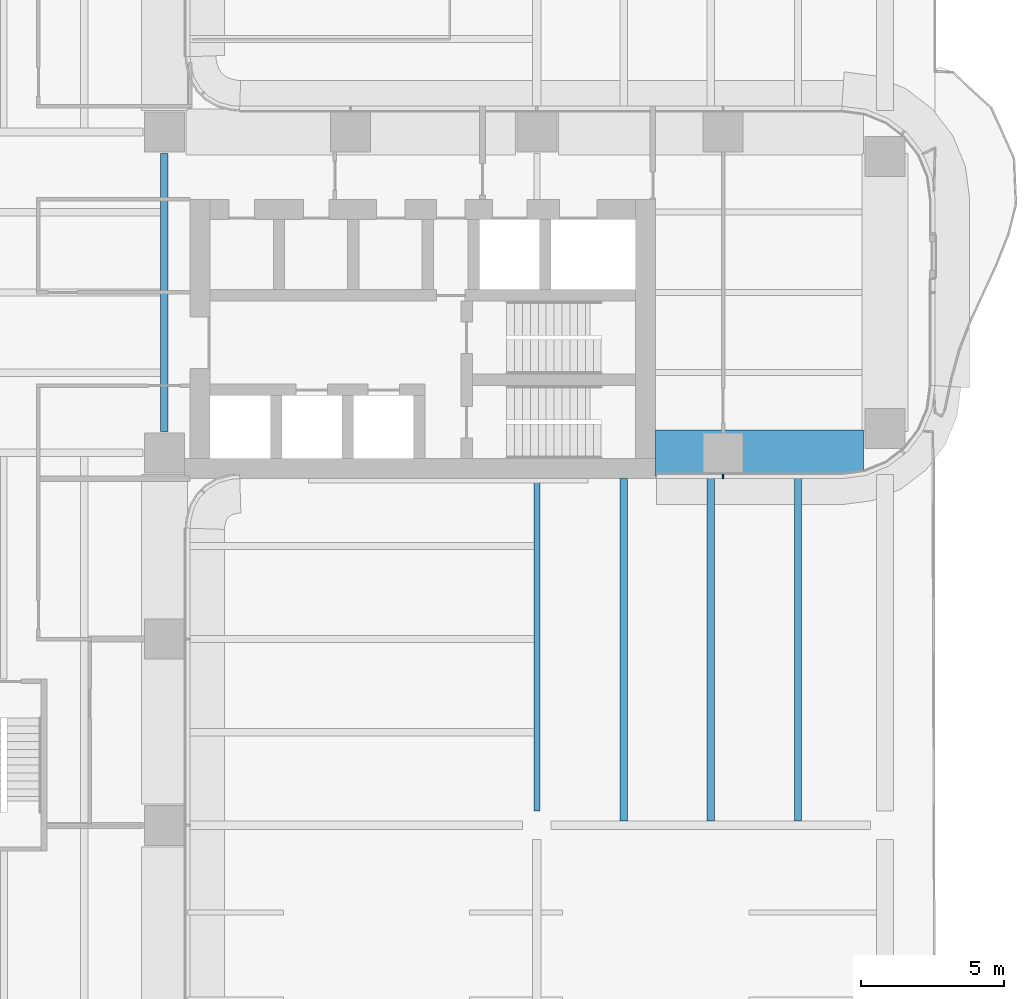
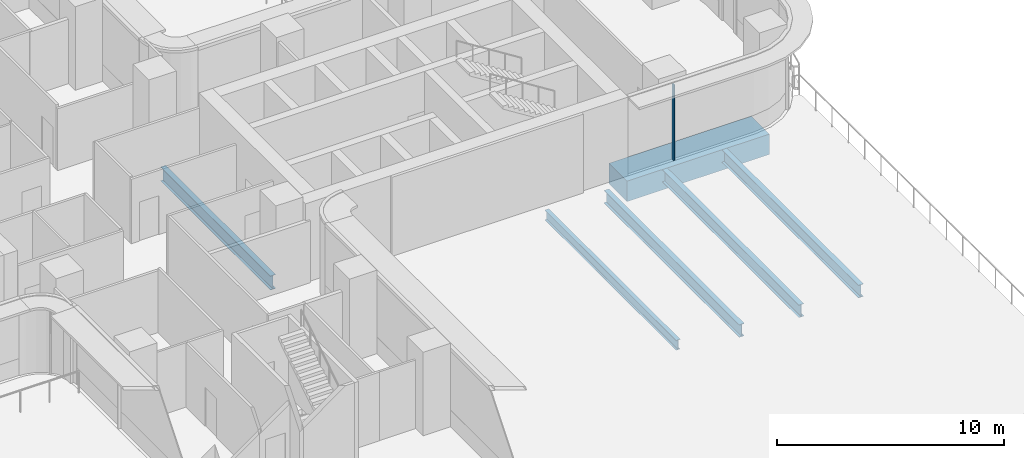
# One storey, part 8 of 29: 6 beams, 1 member, 1 element without a shape of its own.
"""IFC4 building model written with IfcOpenShell, lengths in metres."""

from ifc_helpers import new_model, si_unit, direction, frame, origin, origin_2d, place, context, subcontext, project, spatial, rectangle, i_section, extrude, source, transform, mapped, material, layer, layer_set, material_profile, profile_set, type_object, element, aggregate, save


model = new_model("IFC4")

# Units and contexts
model_context = context("Model", 3, precision=1e-05, world=origin(), true_north=direction((0.0, 1.0)))
body_context = subcontext(model_context, "Body", "Model", "MODEL_VIEW")
ifc_project = project(units=[si_unit("LENGTHUNIT", "METRE"), si_unit("AREAUNIT", "SQUARE_METRE"), si_unit("VOLUMEUNIT", "CUBIC_METRE"), si_unit("PLANEANGLEUNIT", "RADIAN"), si_unit("MASSUNIT", "GRAM", prefix="KILO")], contexts=[model_context])

# Site, building, storey
site_placement = place(None, origin())
site = spatial("IfcSite", under=ifc_project, at=site_placement, CompositionType="ELEMENT")
building_placement = place(site_placement, origin())
building = spatial("IfcBuilding", under=site, at=building_placement, Name="Trellis Farm Tower", CompositionType="ELEMENT")
storey_placement = place(building_placement, frame((0.0, 0.0, 34.0)))
storey = spatial("IfcBuildingStorey", under=building, at=storey_placement, Name="L06", CompositionType="ELEMENT", Elevation=34.0)

# Beams
ifc_material_1 = material(Name="Steel S355", Category="steel")
ifc_material_profile_1 = material_profile(ifc_material_1, i_section(OverallWidth=0.253662109375, OverallDepth=0.68359375, WebThickness=0.012451171875, FlangeThickness=0.021728515625, FilletRadius=0.01513671875, at=origin_2d()), Name="UB 686x254x140")
ifc_profile_set_1 = profile_set([ifc_material_profile_1], Name="Steel S355")
beam_type_1 = type_object("IfcBeamType", Name="UB 686x254x140 joist", PredefinedType="JOIST", material=ifc_profile_set_1)
shared_shape_1 = source(origin(), body_context, "Body", "SweptSolid", [
    extrude(i_section(OverallWidth=0.253662109375, OverallDepth=0.68359375, WebThickness=0.012451171875, FlangeThickness=0.021728515625, FilletRadius=0.01513671875, at=origin_2d()), origin(), (0.0, 0.0, 1.0), 11.947265625),
])
beam_1_placement = place(storey_placement, frame((21.637451171875, -18.447265625, -0.691650390625), z_axis=(0.0, 1.0, 0.0), x_axis=(-1.0, 0.0, 0.0)))
element("IfcBeam", 1, at=beam_1_placement, inside=storey, type_object=beam_type_1, Name="Floor beam", PredefinedType="JOIST", context=body_context, shape_type="MappedRepresentation", body=[
    mapped(shared_shape_1, transform((0.0, 0.0, 0.0))),
])
ifc_material_profile_2 = material_profile(ifc_material_1, i_section(OverallWidth=0.2666015625, OverallDepth=0.76220703125, WebThickness=0.014404296875, FlangeThickness=0.021484375, FilletRadius=0.0166015625, at=origin_2d()), Name="UB 762x267x173")
ifc_profile_set_2 = profile_set([ifc_material_profile_2], Name="Steel S355")
beam_type_2 = type_object("IfcBeamType", Name="UB 762x267x173", PredefinedType="BEAM", material=ifc_profile_set_2)
shared_shape_2 = source(origin(), body_context, "Body", "SweptSolid", [
    extrude(i_section(OverallWidth=0.2666015625, OverallDepth=0.76220703125, WebThickness=0.014404296875, FlangeThickness=0.021484375, FilletRadius=0.0166015625, at=origin_2d()), origin(), (0.0, 0.0, 1.0), 9.7001953125),
])
beam_2_placement = place(storey_placement, frame((5.60009765625, -4.85009765625, -0.731201171875), z_axis=(0.0, 1.0, 0.0), x_axis=(-1.0, 0.0, 0.0)))
element("IfcBeam", 2, at=beam_2_placement, inside=storey, type_object=beam_type_2, Name="Girder", PredefinedType="BEAM", context=body_context, shape_type="MappedRepresentation", body=[
    mapped(shared_shape_2, transform((0.0, 0.0, 0.0))),
])
ifc_material_profile_3 = material_profile(ifc_material_1, i_section(OverallWidth=0.209228515625, OverallDepth=0.533203125, WebThickness=0.010009765625, FlangeThickness=0.015625, FilletRadius=0.0126953125, at=origin_2d()), Name="UB 533x210x92")
ifc_profile_set_3 = profile_set([ifc_material_profile_3], Name="Steel S355")
beam_type_3 = type_object("IfcBeamType", Name="UB 533x210x92", PredefinedType="BEAM", material=ifc_profile_set_3)
shared_shape_3 = source(origin(), body_context, "Body", "SweptSolid", [
    extrude(i_section(OverallWidth=0.209228515625, OverallDepth=0.533203125, WebThickness=0.010009765625, FlangeThickness=0.015625, FilletRadius=0.0126953125, at=origin_2d()), origin(), (0.0, 0.0, 1.0), 11.60009765625),
])
beam_3_placement = place(storey_placement, frame((18.60009765625, -18.10009765625, -0.61669921875), z_axis=(0.0, 1.0, 0.0), x_axis=(-1.0, 0.0, 0.0)))
element("IfcBeam", 3, at=beam_3_placement, inside=storey, type_object=beam_type_3, Name="Girder", PredefinedType="BEAM", context=body_context, shape_type="MappedRepresentation", body=[
    mapped(shared_shape_3, transform((0.0, 0.0, 0.0))),
])
ifc_material_2 = material(Name="Concrete C80/95", Category="concrete")
ifc_material_profile_4 = material_profile(ifc_material_2, rectangle(XDim=1.60009765625, YDim=1.10009765625, at=origin_2d()), Name="RC transfer beam 1600x1100 C80/95")
ifc_profile_set_4 = profile_set([ifc_material_profile_4], Name="Concrete C80/95")
beam_type_4 = type_object("IfcBeamType", Name="RC transfer beam 1600x1100 C80/95", PredefinedType="BEAM", material=ifc_profile_set_4)
shared_shape_4 = source(origin(), body_context, "Body", "SweptSolid", [
    extrude(rectangle(XDim=1.60009765625, YDim=1.10009765625, at=origin_2d()), origin(), (0.0, 0.0, 1.0), 7.25),
])
beam_4_placement = place(storey_placement, frame((22.75, -5.60009765625, -0.89990234375), z_axis=(1.0, 0.0, 0.0), x_axis=(0.0, 1.0, 0.0)))
element("IfcBeam", 4, at=beam_4_placement, inside=storey, type_object=beam_type_4, Name="Transfer girder", PredefinedType="BEAM", context=body_context, shape_type="MappedRepresentation", body=[
    mapped(shared_shape_4, transform((0.0, 0.0, 0.0))),
])
shared_shape_5 = source(origin(), body_context, "Body", "SweptSolid", [
    extrude(i_section(OverallWidth=0.253662109375, OverallDepth=0.68359375, WebThickness=0.012451171875, FlangeThickness=0.021728515625, FilletRadius=0.01513671875, at=origin_2d()), origin(), (0.0, 0.0, 1.0), 12.04736328125),
])
for number, where, z_axis, x_axis, name in (
    (5, (24.675048828125, -18.447265625, -0.691650390625), (0.0, 1.0, 0.0), (-1.0, 0.0, 0.0), "Floor beam"),
    (6, (27.71240234375, -18.447265625, -0.691650390625), (0.0, 1.0, 0.0), (-1.0, 0.0, 0.0), "Floor beam"),
):
    element("IfcBeam", number, at=place(storey_placement, frame(where, z_axis=z_axis, x_axis=x_axis)), inside=storey, type_object=beam_type_1, Name=name, PredefinedType="JOIST", context=body_context, shape_type="MappedRepresentation", body=[
        mapped(shared_shape_5, transform((0.0, 0.0, 0.0))),
    ])

# Curtain wall, member
ifc_material_3 = material(Name="Aluminium and glass curtain wall", Category="aluminium")
ifc_layer = layer(ifc_material_3, 0.18994140625)
ifc_layer_set = layer_set([ifc_layer], Name="RIBBON CURTAIN WALL CW1")
curtain_wall_type = type_object("IfcCurtainWallType", Name="RIBBON CURTAIN WALL CW1", PredefinedType="NOTDEFINED", material=ifc_layer_set)
curtain_wall_placement = place(storey_placement, origin())
curtain_wall = element("IfcCurtainWall", 7, at=curtain_wall_placement, inside=storey, type_object=curtain_wall_type, Name="CW1 006", PredefinedType="NOTDEFINED")
ifc_material_4 = material(Name="Aluminium extrusion 6063-T6", Category="aluminium")
ifc_material_profile_5 = material_profile(ifc_material_4, rectangle(XDim=0.06005859375, YDim=0.14990234375, at=origin_2d()), Name="MULLION 60x150")
ifc_profile_set_5 = profile_set([ifc_material_profile_5], Name="Aluminium extrusion 6063-T6")
member_type = type_object("IfcMemberType", Name="CW1 MULLION 60x150", PredefinedType="MULLION", material=ifc_profile_set_5)
shared_shape_6 = source(origin(), body_context, "Body", "SweptSolid", [
    extrude(rectangle(XDim=0.06005859375, YDim=0.14990234375, at=origin_2d()), origin(), (0.0, 0.0, 1.0), 4.070068359375),
])
member_placement = place(storey_placement, frame((25.10009765625, -6.425048828125, 0.0), z_axis=(0.0, 0.0, 1.0), x_axis=(1.0, 0.0, 0.0)))
member = element("IfcMember", 8, at=member_placement, type_object=member_type, Name="MU1 006-01", PredefinedType="MULLION", context=body_context, shape_type="MappedRepresentation", body=[
    mapped(shared_shape_6, transform((0.0, 0.0, 0.0))),
])
aggregate(curtain_wall, [member])

save(model, "model.ifc")
